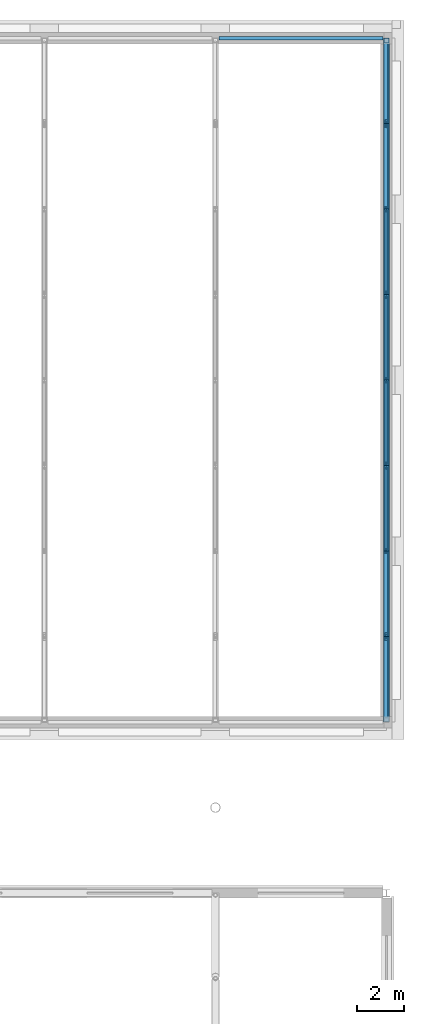
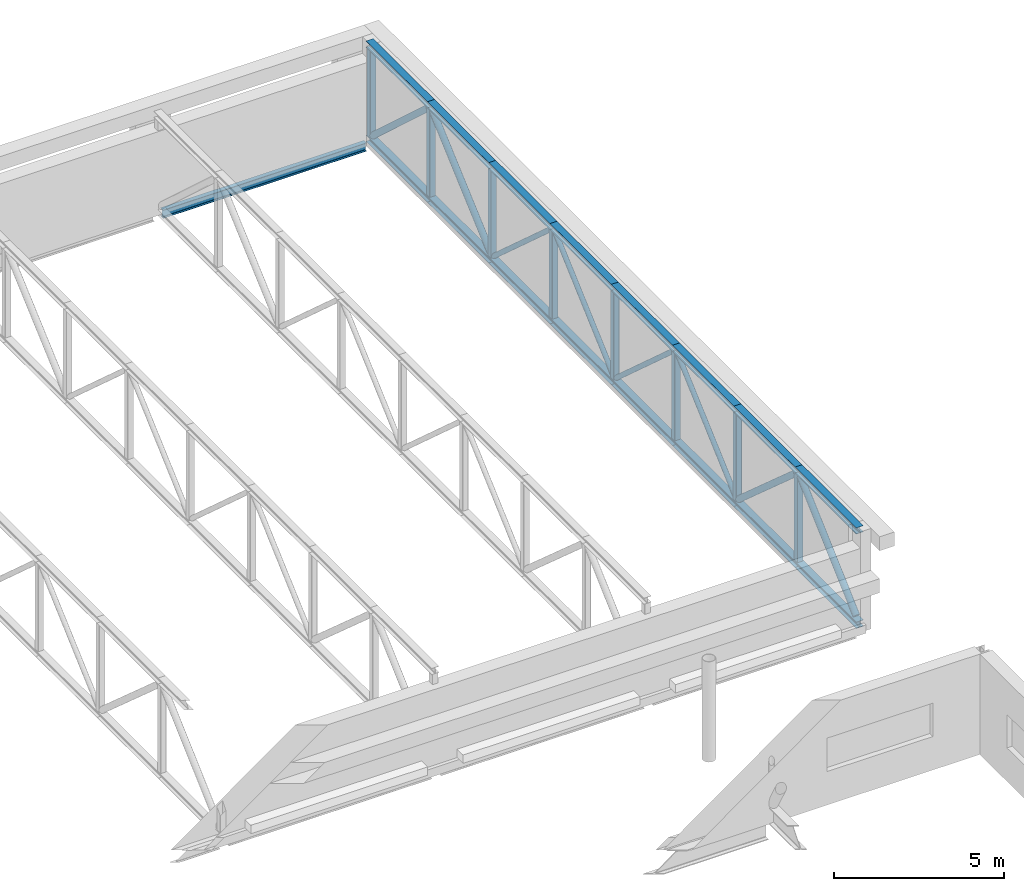
# One storey, part 80 of 142: 32 members, 1 beam.
"""IFC4 building model written with IfcOpenShell, lengths in metres."""

from ifc_helpers import new_model, si_unit, direction, frame, origin, origin_2d, place, context, subcontext, project, spatial, hollow_rectangle, hollow_circle, i_section, extrude, material, material_profile, profile_set, type_object, element, save


model = new_model("IFC4")

# Units and contexts
model_context = context("Model", 3, precision=1e-05, world=origin(), true_north=direction((0.0, 1.0)))
body_context = subcontext(model_context, "Body", "Model", "MODEL_VIEW")
ifc_project = project(units=[si_unit("LENGTHUNIT", "METRE"), si_unit("AREAUNIT", "SQUARE_METRE"), si_unit("VOLUMEUNIT", "CUBIC_METRE"), si_unit("PLANEANGLEUNIT", "RADIAN"), si_unit("MASSUNIT", "GRAM", prefix="KILO")], contexts=[model_context])

# Site, building, storey
site_placement = place(None, origin())
site = spatial("IfcSite", under=ifc_project, at=site_placement, CompositionType="ELEMENT")
building_placement = place(site_placement, origin())
building = spatial("IfcBuilding", under=site, at=building_placement, Name="Kupolbacken Congress Centre", CompositionType="ELEMENT")
storey_placement = place(building_placement, frame((0.0, 0.0, 14.39990234375)))
storey = spatial("IfcBuildingStorey", under=building, at=storey_placement, Name="L04", CompositionType="ELEMENT", Elevation=14.39990234375)

# Beam
ifc_material_1 = material(Name="Steel S355", Category="steel")
ifc_material_profile_1 = material_profile(ifc_material_1, i_section(OverallWidth=0.14990234375, OverallDepth=0.300048828125, WebThickness=0.007080078125, FlangeThickness=0.0107421875, FilletRadius=0.014892578125, at=origin_2d()), Name="IPE 300")
ifc_profile_set_1 = profile_set([ifc_material_profile_1], Name="Steel S355")
beam_type = type_object("IfcBeamType", Name="B04 beam IPE 300", PredefinedType="BEAM", material=ifc_profile_set_1)
beam_placement = place(storey_placement, frame((194.550048828125, 151.199951171875, -0.14990234375), z_axis=(1.0, 0.0, 0.0), x_axis=(0.0, 1.0, 0.0)))
element("IfcBeam", 1, at=beam_placement, inside=storey, type_object=beam_type, Name="Edge girder", PredefinedType="BEAM", context=body_context, shape_type="SweptSolid", body=[
    extrude(i_section(OverallWidth=0.14990234375, OverallDepth=0.300048828125, WebThickness=0.007080078125, FlangeThickness=0.0107421875, FilletRadius=0.014892578125, at=origin_2d()), origin(), (0.0, 0.0, 1.0), 6.89990234375),
])

# Members
ifc_material_2 = material(Name="Steel S355", Category="steel")
ifc_material_profile_2 = material_profile(ifc_material_2, hollow_circle(Radius=0.109619140625, WallThickness=0.010009765625, at=origin_2d()), Name="CHS 219.1 x 10")
ifc_profile_set_2 = profile_set([ifc_material_profile_2], Name="Steel S355")
member_type_1 = type_object("IfcMemberType", Name="M05 transfer truss web CHS 219.1 x 10", PredefinedType="BRACE", material=ifc_profile_set_2)
member_1_placement = place(storey_placement, frame((201.60009765625, 122.60009765625, 0.289306640625), z_axis=(0.0, 0.738640464451, 0.67409959522), x_axis=(-1.0, 0.0, 0.0)))
element("IfcMember", 2, at=member_1_placement, inside=storey, type_object=member_type_1, Name="BT/B8/D01", PredefinedType="BRACE", context=body_context, shape_type="SweptSolid", body=[
    extrude(hollow_circle(Radius=0.109619140625, WallThickness=0.010009765625, at=origin_2d()), origin(), (0.0, 0.0, 1.0), 4.46728515625),
])
for number, where, z_axis, x_axis, name in (
    (3, (201.60009765625, 126.10009765625, 3.2998046875), (0.0, 0.748813846758, -0.662780373053), (-1.0, 0.0, 0.0), "BT/B8/D02"),
    (4, (201.60009765625, 144.10009765625, 0.29052734375), (0.0, 0.748813846758, 0.662780373053), (-1.0, 0.0, 0.0), "BT/B8/D07"),
):
    element("IfcMember", number, at=place(storey_placement, frame(where, z_axis=z_axis, x_axis=x_axis)), inside=storey, type_object=member_type_1, Name=name, PredefinedType="BRACE", context=body_context, shape_type="SweptSolid", body=[
        extrude(hollow_circle(Radius=0.109619140625, WallThickness=0.010009765625, at=origin_2d()), origin(), (0.0, 0.0, 1.0), 4.540283203125),
    ])
member_2_placement = place(storey_placement, frame((201.60009765625, 147.699951171875, 3.30078125), z_axis=(0.0, 0.738665296168, -0.674072385013), x_axis=(-1.0, 0.0, 0.0)))
element("IfcMember", 5, at=member_2_placement, inside=storey, type_object=member_type_1, Name="BT/B8/D08", PredefinedType="BRACE", context=body_context, shape_type="SweptSolid", body=[
    extrude(hollow_circle(Radius=0.109619140625, WallThickness=0.010009765625, at=origin_2d()), origin(), (0.0, 0.0, 1.0), 4.467529296875),
])
ifc_material_3 = material(Name="Steel S355", Category="steel")
ifc_material_profile_3 = material_profile(ifc_material_3, hollow_circle(Radius=0.084228515625, WallThickness=0.008056640625, at=origin_2d()), Name="CHS 168.3 x 8")
ifc_profile_set_3 = profile_set([ifc_material_profile_3], Name="Steel S355")
member_type_2 = type_object("IfcMemberType", Name="M06 transfer truss web CHS 168.3 x 8", PredefinedType="BRACE", material=ifc_profile_set_3)
member_3_placement = place(storey_placement, frame((201.60009765625, 129.699951171875, 0.271728515625), z_axis=(0.0, 0.744762797892, 0.667329285193), x_axis=(-1.0, 0.0, 0.0)))
element("IfcMember", 6, at=member_3_placement, inside=storey, type_object=member_type_2, Name="BT/B8/D03", PredefinedType="BRACE", context=body_context, shape_type="SweptSolid", body=[
    extrude(hollow_circle(Radius=0.084228515625, WallThickness=0.008056640625, at=origin_2d()), origin(), (0.0, 0.0, 1.0), 4.5654296875),
])
member_4_placement = place(storey_placement, frame((201.60009765625, 133.300048828125, 3.318359375), z_axis=(0.0, 0.744738982007, -0.667355863598), x_axis=(-1.0, 0.0, 0.0)))
element("IfcMember", 7, at=member_4_placement, inside=storey, type_object=member_type_2, Name="BT/B8/D04", PredefinedType="BRACE", context=body_context, shape_type="SweptSolid", body=[
    extrude(hollow_circle(Radius=0.084228515625, WallThickness=0.008056640625, at=origin_2d()), origin(), (0.0, 0.0, 1.0), 4.565185546875),
])
member_5_placement = place(storey_placement, frame((201.60009765625, 136.89990234375, 0.271728515625), z_axis=(0.0, 0.744762797892, 0.667329285193), x_axis=(-1.0, 0.0, 0.0)))
element("IfcMember", 8, at=member_5_placement, inside=storey, type_object=member_type_2, Name="BT/B8/D05", PredefinedType="BRACE", context=body_context, shape_type="SweptSolid", body=[
    extrude(hollow_circle(Radius=0.084228515625, WallThickness=0.008056640625, at=origin_2d()), origin(), (0.0, 0.0, 1.0), 4.5654296875),
])
member_6_placement = place(storey_placement, frame((201.60009765625, 140.5, 3.318359375), z_axis=(0.0, 0.744738982007, -0.667355863598), x_axis=(-1.0, 0.0, 0.0)))
element("IfcMember", 9, at=member_6_placement, inside=storey, type_object=member_type_2, Name="BT/B8/D06", PredefinedType="BRACE", context=body_context, shape_type="SweptSolid", body=[
    extrude(hollow_circle(Radius=0.084228515625, WallThickness=0.008056640625, at=origin_2d()), origin(), (0.0, 0.0, 1.0), 4.565185546875),
])
ifc_material_4 = material(Name="Steel S355", Category="steel")
ifc_material_profile_4 = material_profile(ifc_material_4, i_section(OverallWidth=0.239990234375, OverallDepth=0.22998046875, WebThickness=0.007568359375, FlangeThickness=0.011962890625, FilletRadius=0.02099609375, at=origin_2d()), Name="HEA 240")
ifc_profile_set_4 = profile_set([ifc_material_profile_4], Name="Steel S355")
member_type_3 = type_object("IfcMemberType", Name="M07 transfer truss chord HEA 240", PredefinedType="CHORD", material=ifc_profile_set_4)
for number, where, z_axis, x_axis, name in (
    (10, (201.60009765625, 122.39990234375, 0.10498046875), (0.0, 1.0, 0.0), (-1.0, 0.0, 0.0), "BT/B8/BC01"),
    (11, (201.60009765625, 122.39990234375, 3.485107421875), (0.0, 1.0, 0.0), (-1.0, 0.0, 0.0), "BT/B8/TC01"),
    (12, (201.60009765625, 126.0, 0.10498046875), (0.0, 1.0, 0.0), (-1.0, 0.0, 0.0), "BT/B8/BC02"),
    (13, (201.60009765625, 126.0, 3.485107421875), (0.0, 1.0, 0.0), (-1.0, 0.0, 0.0), "BT/B8/TC02"),
):
    element("IfcMember", number, at=place(storey_placement, frame(where, z_axis=z_axis, x_axis=x_axis)), inside=storey, type_object=member_type_3, Name=name, PredefinedType="CHORD", context=body_context, shape_type="SweptSolid", body=[
        extrude(i_section(OverallWidth=0.239990234375, OverallDepth=0.22998046875, WebThickness=0.007568359375, FlangeThickness=0.011962890625, FilletRadius=0.02099609375, at=origin_2d()), origin(), (0.0, 0.0, 1.0), 3.60009765625),
    ])
for number, where, z_axis, x_axis, name in (
    (14, (201.60009765625, 129.60009765625, 0.10498046875), (0.0, 1.0, 0.0), (-1.0, 0.0, 0.0), "BT/B8/BC03"),
    (15, (201.60009765625, 129.60009765625, 3.485107421875), (0.0, 1.0, 0.0), (-1.0, 0.0, 0.0), "BT/B8/TC03"),
):
    element("IfcMember", number, at=place(storey_placement, frame(where, z_axis=z_axis, x_axis=x_axis)), inside=storey, type_object=member_type_3, Name=name, PredefinedType="CHORD", context=body_context, shape_type="SweptSolid", body=[
        extrude(i_section(OverallWidth=0.239990234375, OverallDepth=0.22998046875, WebThickness=0.007568359375, FlangeThickness=0.011962890625, FilletRadius=0.02099609375, at=origin_2d()), origin(), (0.0, 0.0, 1.0), 3.599853515625),
    ])
for number, where, z_axis, x_axis, name in (
    (16, (201.60009765625, 133.199951171875, 0.10498046875), (0.0, 1.0, 0.0), (-1.0, 0.0, 0.0), "BT/B8/BC04"),
    (17, (201.60009765625, 133.199951171875, 3.485107421875), (0.0, 1.0, 0.0), (-1.0, 0.0, 0.0), "BT/B8/TC04"),
):
    element("IfcMember", number, at=place(storey_placement, frame(where, z_axis=z_axis, x_axis=x_axis)), inside=storey, type_object=member_type_3, Name=name, PredefinedType="CHORD", context=body_context, shape_type="SweptSolid", body=[
        extrude(i_section(OverallWidth=0.239990234375, OverallDepth=0.22998046875, WebThickness=0.007568359375, FlangeThickness=0.011962890625, FilletRadius=0.02099609375, at=origin_2d()), origin(), (0.0, 0.0, 1.0), 3.60009765625),
    ])
for number, where, z_axis, x_axis, name in (
    (18, (201.60009765625, 136.800048828125, 0.10498046875), (0.0, 1.0, 0.0), (-1.0, 0.0, 0.0), "BT/B8/BC05"),
    (19, (201.60009765625, 136.800048828125, 3.485107421875), (0.0, 1.0, 0.0), (-1.0, 0.0, 0.0), "BT/B8/TC05"),
):
    element("IfcMember", number, at=place(storey_placement, frame(where, z_axis=z_axis, x_axis=x_axis)), inside=storey, type_object=member_type_3, Name=name, PredefinedType="CHORD", context=body_context, shape_type="SweptSolid", body=[
        extrude(i_section(OverallWidth=0.239990234375, OverallDepth=0.22998046875, WebThickness=0.007568359375, FlangeThickness=0.011962890625, FilletRadius=0.02099609375, at=origin_2d()), origin(), (0.0, 0.0, 1.0), 3.599853515625),
    ])
for number, where, z_axis, x_axis, name in (
    (20, (201.60009765625, 140.39990234375, 0.10498046875), (0.0, 1.0, 0.0), (-1.0, 0.0, 0.0), "BT/B8/BC06"),
    (21, (201.60009765625, 140.39990234375, 3.485107421875), (0.0, 1.0, 0.0), (-1.0, 0.0, 0.0), "BT/B8/TC06"),
    (22, (201.60009765625, 144.0, 0.10498046875), (0.0, 1.0, 0.0), (-1.0, 0.0, 0.0), "BT/B8/BC07"),
    (23, (201.60009765625, 144.0, 3.485107421875), (0.0, 1.0, 0.0), (-1.0, 0.0, 0.0), "BT/B8/TC07"),
):
    element("IfcMember", number, at=place(storey_placement, frame(where, z_axis=z_axis, x_axis=x_axis)), inside=storey, type_object=member_type_3, Name=name, PredefinedType="CHORD", context=body_context, shape_type="SweptSolid", body=[
        extrude(i_section(OverallWidth=0.239990234375, OverallDepth=0.22998046875, WebThickness=0.007568359375, FlangeThickness=0.011962890625, FilletRadius=0.02099609375, at=origin_2d()), origin(), (0.0, 0.0, 1.0), 3.60009765625),
    ])
for number, where, z_axis, x_axis, name in (
    (24, (201.60009765625, 147.60009765625, 0.10498046875), (0.0, 1.0, 0.0), (-1.0, 0.0, 0.0), "BT/B8/BC08"),
    (25, (201.60009765625, 147.60009765625, 3.485107421875), (0.0, 1.0, 0.0), (-1.0, 0.0, 0.0), "BT/B8/TC08"),
):
    element("IfcMember", number, at=place(storey_placement, frame(where, z_axis=z_axis, x_axis=x_axis)), inside=storey, type_object=member_type_3, Name=name, PredefinedType="CHORD", context=body_context, shape_type="SweptSolid", body=[
        extrude(i_section(OverallWidth=0.239990234375, OverallDepth=0.22998046875, WebThickness=0.007568359375, FlangeThickness=0.011962890625, FilletRadius=0.02099609375, at=origin_2d()), origin(), (0.0, 0.0, 1.0), 3.599853515625),
    ])
ifc_material_5 = material(Name="Steel S355", Category="steel")
ifc_material_profile_5 = material_profile(ifc_material_5, hollow_rectangle(XDim=0.199951171875, YDim=0.199951171875, WallThickness=0.010009765625, InnerFilletRadius=0.010009765625, OuterFilletRadius=0.014892578125, at=origin_2d()), Name="SHS 200 x 200 x 10")
ifc_profile_set_5 = profile_set([ifc_material_profile_5], Name="Steel S355")
member_type_4 = type_object("IfcMemberType", Name="M10 transfer truss post SHS 200 x 200 x 10", PredefinedType="STRUT", material=ifc_profile_set_5)
for number, where, z_axis, x_axis, name in (
    (26, (201.60009765625, 126.0, 0.210205078125), (0.0, 0.0, 1.0), (0.0, 1.0, 0.0), "BT/B8/P01"),
    (27, (201.60009765625, 129.60009765625, 0.210205078125), (0.0, 0.0, 1.0), (0.0, 1.0, 0.0), "BT/B8/P02"),
    (28, (201.60009765625, 133.199951171875, 0.210205078125), (0.0, 0.0, 1.0), (0.0, 1.0, 0.0), "BT/B8/P03"),
    (29, (201.60009765625, 136.800048828125, 0.210205078125), (0.0, 0.0, 1.0), (0.0, 1.0, 0.0), "BT/B8/P04"),
    (30, (201.60009765625, 140.39990234375, 0.210205078125), (0.0, 0.0, 1.0), (0.0, 1.0, 0.0), "BT/B8/P05"),
    (31, (201.60009765625, 144.0, 0.210205078125), (0.0, 0.0, 1.0), (0.0, 1.0, 0.0), "BT/B8/P06"),
    (32, (201.60009765625, 147.60009765625, 0.210205078125), (0.0, 0.0, 1.0), (0.0, 1.0, 0.0), "BT/B8/P07"),
    (33, (201.60009765625, 151.10009765625, 0.210205078125), (0.0, 0.0, 1.0), (0.0, 1.0, 0.0), "BT/B8/P08"),
):
    element("IfcMember", number, at=place(storey_placement, frame(where, z_axis=z_axis, x_axis=x_axis)), inside=storey, type_object=member_type_4, Name=name, PredefinedType="STRUT", context=body_context, shape_type="SweptSolid", body=[
        extrude(hollow_rectangle(XDim=0.199951171875, YDim=0.199951171875, WallThickness=0.010009765625, InnerFilletRadius=0.010009765625, OuterFilletRadius=0.014892578125, at=origin_2d()), origin(), (0.0, 0.0, 1.0), 3.169921875),
    ])

save(model, "model.ifc")
